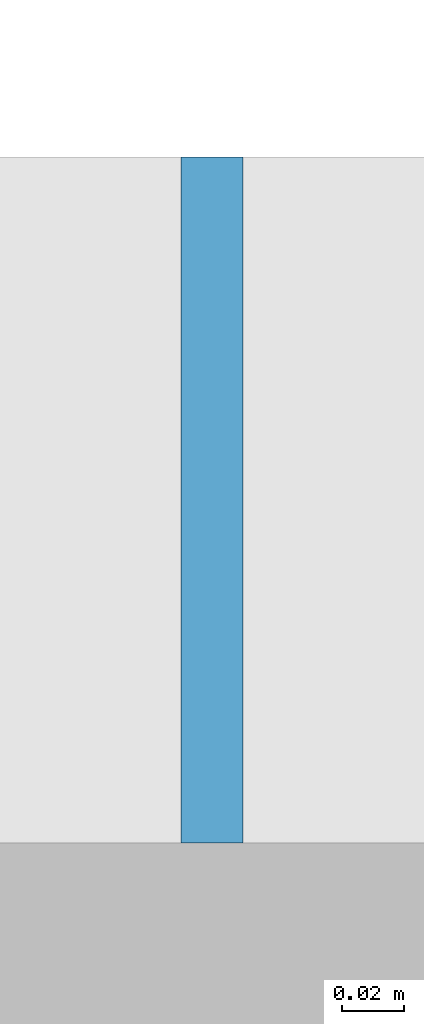
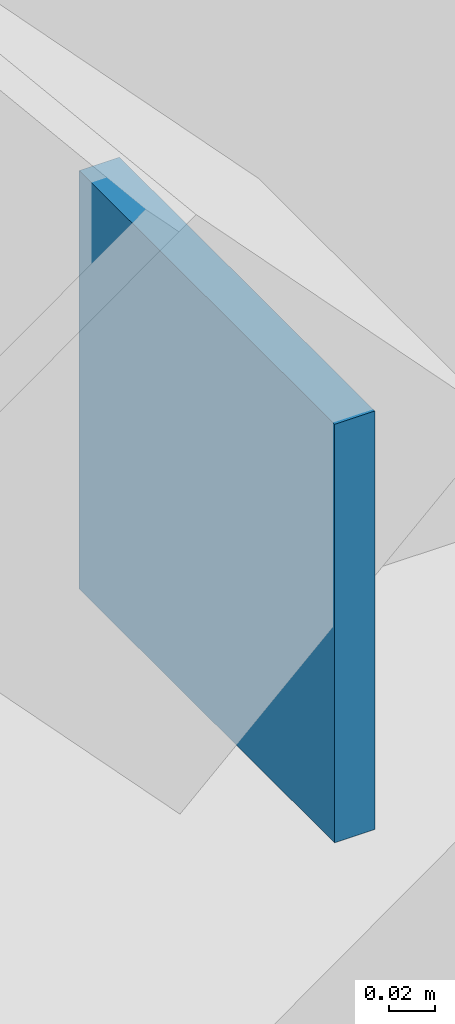
# One storey, part 84 of 100: 1 plate.
"""IFC4 building model written with IfcOpenShell, lengths in metres."""

from ifc_helpers import new_model, si_unit, derived_unit, direction, frame, origin, origin_2d, place, context, subcontext, project, spatial, rectangle, extrude, material, layer, layer_set, type_object, element, save


model = new_model("IFC4")

# Units and contexts
model_context = context("Model", 3, precision=1e-05, world=origin(), true_north=direction((0.0, 1.0)))
body_context = subcontext(model_context, "Body", "Model", "MODEL_VIEW")
ifc_project = project(units=[si_unit("LENGTHUNIT", "METRE"), si_unit("AREAUNIT", "SQUARE_METRE"), si_unit("VOLUMEUNIT", "CUBIC_METRE"), si_unit("PLANEANGLEUNIT", "RADIAN"), si_unit("MASSUNIT", "GRAM", prefix="KILO"), derived_unit("THERMALTRANSMITTANCEUNIT", [(si_unit("POWERUNIT", "WATT"), 1), (si_unit("LENGTHUNIT", "METRE"), -2), (si_unit("THERMODYNAMICTEMPERATUREUNIT", "KELVIN"), -1)])], contexts=[model_context])

# Site, building, storey
site_placement = place(None, origin())
site = spatial("IfcSite", under=ifc_project, at=site_placement, CompositionType="ELEMENT")
building_placement = place(site_placement, origin())
building = spatial("IfcBuilding", under=site, at=building_placement, Name="Nallur Shell Playhouse", CompositionType="ELEMENT")
storey_placement = place(building_placement, frame((0.0, 0.0, 10.199951171875)))
storey = spatial("IfcBuildingStorey", under=building, at=storey_placement, Name="L03", CompositionType="ELEMENT", Elevation=10.199951171875)

# Plate
ifc_material = material(Name="Steel E350", Category="steel")
ifc_layer = layer(ifc_material, 0.02001953125)
ifc_layer_set = layer_set([ifc_layer], Name="Steel E350")
plate_type = type_object("IfcPlateType", Name="PT-ENDCAP-20", PredefinedType="SHEET", material=ifc_layer_set)
plate_placement = place(storey_placement, frame((95.206787109375, 83.0, 0.03271484375), z_axis=(0.0, 0.0, 1.0), x_axis=(1.0, 0.0, 0.0)))
element("IfcPlate", 1, at=plate_placement, inside=storey, type_object=plate_type, Name="Hollow end cap EC-BR-FT-L03-024-0", PredefinedType="SHEET", context=body_context, shape_type="SweptSolid", body=[
    extrude(rectangle(XDim=0.02001953125, YDim=0.219970703125, at=origin_2d()), origin(), (0.0, 0.0, 1.0), 0.219970703125),
])

save(model, "model.ifc")
